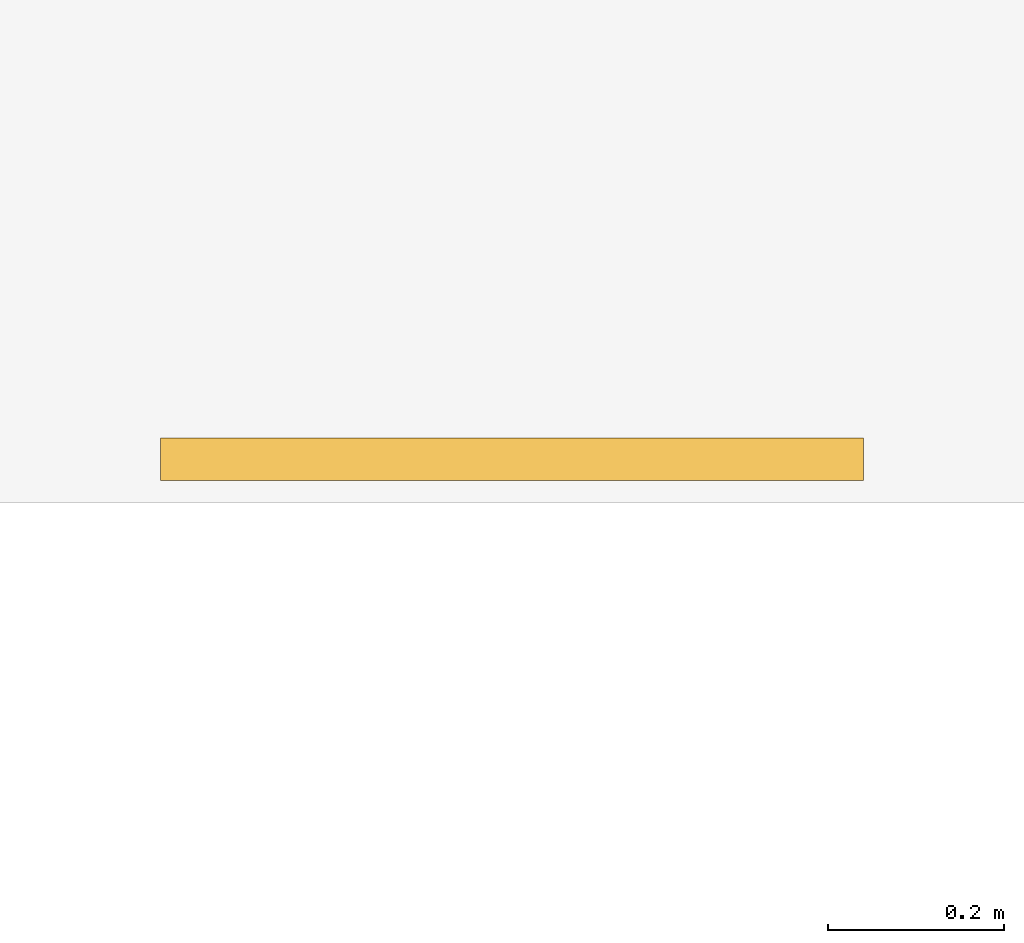
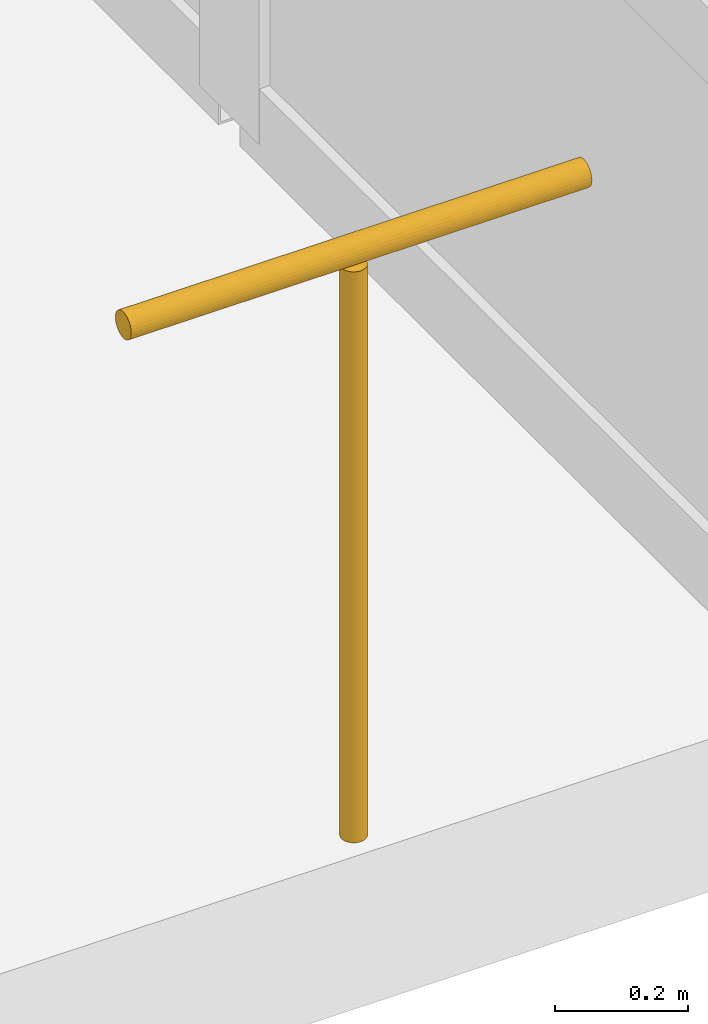
# One storey, part 108 of 128: 1 railing.
"""IFC4 building model written with IfcOpenShell, lengths in metres."""

import ifcopenshell
import ifcopenshell.guid

model = None  # the IFC model being written
_history = None  # IfcOwnerHistory: only IFC2X3 demands one
_inside = {}  # id of a spatial element -> (the spatial element, [elements in it])
_under = {}  # id of a project, library or spatial element -> (it, [spatial elements below it])
_declared = {}  # id of a project -> (the project, [libraries it declares])
_typed = {}  # id of a type object -> (the type object, [elements of that type])
_made_of = {}  # id of a material, layer set ... -> (it, [elements and type objects made of it])


def new_model(schema):
    """Start an empty IFC model of exactly this schema.

    Asked for "IFC4X3", IfcOpenShell would pick the latest addendum, in which some entities
    have other attributes; the version numbers below select the first issue.
    IFC2X3 requires an IfcOwnerHistory on every rooted entity: one is made here for all.
    """
    global model, _history
    if schema == "IFC4X3":
        model = ifcopenshell.file(schema_version=(4, 3, 0, 0))
    else:
        model = ifcopenshell.file(schema=schema)
    _inside.clear()
    _under.clear()
    _declared.clear()
    _typed.clear()
    _made_of.clear()
    _history = None
    if model.schema == "IFC2X3":
        org = make("IfcOrganization", Name="unknown")
        user = make(
            "IfcPersonAndOrganization",
            ThePerson=make("IfcPerson", FamilyName="unknown"),
            TheOrganization=org,
        )
        app = make(
            "IfcApplication",
            ApplicationDeveloper=org,
            Version="unknown",
            ApplicationFullName="unknown",
            ApplicationIdentifier="unknown",
        )
        _history = make(
            "IfcOwnerHistory",
            OwningUser=user,
            OwningApplication=app,
            ChangeAction="ADDED",
            CreationDate=0,
        )
    return model


def make(cls, **values):
    """One entity of the class cls with the attributes given. An attribute that is None is left unset."""
    return model.create_entity(
        cls, **{name: value for name, value in values.items() if value is not None}
    )


def rooted(cls, **values):
    """An entity with a GlobalId (a new one), such as an element, a storey or a relation."""
    return make(cls, GlobalId=ifcopenshell.guid.new(), OwnerHistory=_history, **values)


def si_unit(unit_type, name, prefix=None):
    """IfcSIUnit, for example si_unit("LENGTHUNIT", "METRE", prefix="MILLI")."""
    return make("IfcSIUnit", UnitType=unit_type, Prefix=prefix, Name=name)


def assignment(units):
    """IfcUnitAssignment: the units of a project."""
    return None if units is None else make("IfcUnitAssignment", Units=units)


def point(xyz):
    """IfcCartesianPoint."""
    return None if xyz is None else make("IfcCartesianPoint", Coordinates=xyz)


def direction(xyz):
    """IfcDirection."""
    return None if xyz is None else make("IfcDirection", DirectionRatios=xyz)


def frame(location, z_axis=None, x_axis=None):
    """IfcAxis2Placement3D, a coordinate frame: its origin and axes. An axis left out is left unset."""
    return make(
        "IfcAxis2Placement3D",
        Location=point(location),
        Axis=direction(z_axis),
        RefDirection=direction(x_axis),
    )


def frame_2d(location, x_axis=None):
    """IfcAxis2Placement2D, a coordinate frame in the plane: its origin and x axis."""
    return make(
        "IfcAxis2Placement2D", Location=point(location), RefDirection=direction(x_axis)
    )


def origin():
    """The frame at (0, 0, 0) with its axes left unset."""
    return frame((0.0, 0.0, 0.0))


def origin_2d():
    """The frame at (0, 0) in the plane with its x axis left unset."""
    return frame_2d((0.0, 0.0))


def place(relative_to, where):
    """IfcLocalPlacement: puts the frame where relative to a parent placement (None: the world)."""
    return make(
        "IfcLocalPlacement", PlacementRelTo=relative_to, RelativePlacement=where
    )


def context(
    kind, dimensions, precision=None, world=None, true_north=None, identifier=None
):
    """IfcGeometricRepresentationContext, for example the 3D "Model" context."""
    return make(
        "IfcGeometricRepresentationContext",
        ContextIdentifier=identifier,
        ContextType=kind,
        CoordinateSpaceDimension=dimensions,
        Precision=precision,
        WorldCoordinateSystem=world,
        TrueNorth=true_north,
    )


def subcontext(parent, identifier, kind, view, scale=None):
    """IfcGeometricRepresentationSubContext, for example "Body" below "Model"."""
    return make(
        "IfcGeometricRepresentationSubContext",
        ContextIdentifier=identifier,
        ContextType=kind,
        ParentContext=parent,
        TargetScale=scale,
        TargetView=view,
    )


def project(units=None, contexts=None):
    """IfcProject with its units and contexts."""
    return rooted(
        "IfcProject",
        Name="project",
        RepresentationContexts=contexts,
        UnitsInContext=assignment(units),
    )


def spatial(cls, under=None, at=None, **own):
    """A site, building, storey or space (cls), placed at a placement, below another one or the project."""
    s = rooted(cls, ObjectPlacement=at, **own)
    if under is not None:
        _under.setdefault(under.id(), (under, []))[1].append(s)
    return s


def profile(cls, at=None, kind="AREA", **sizes):
    """A parametric profile (cls). Its sizes go by their IFC names, for example OverallWidth=200.0."""
    return make(cls, ProfileType=kind, Position=at, **sizes)


def circle(**sizes):
    """IfcCircleProfileDef."""
    return profile("IfcCircleProfileDef", **sizes)


def extrude(swept, where, along, depth):
    """IfcExtrudedAreaSolid: the profile swept, set in the frame where, extruded along a direction by depth."""
    return make(
        "IfcExtrudedAreaSolid",
        SweptArea=swept,
        Position=where,
        ExtrudedDirection=direction(along),
        Depth=depth,
    )


def shape(context_of_items, identifier, shape_type, items):
    """IfcShapeRepresentation: the items that make up one representation, for example the "Body"."""
    return make(
        "IfcShapeRepresentation",
        ContextOfItems=context_of_items,
        RepresentationIdentifier=identifier,
        RepresentationType=shape_type,
        Items=items,
    )


def material(Name=None, Category=None):
    """IfcMaterial."""
    return make("IfcMaterial", Name=Name, Category=Category)


def made_of(thing, what):
    """Note that an element or type object is made of a material, layer set ...; save() writes the relation."""
    if what is not None:
        _made_of.setdefault(what.id(), (what, []))[1].append(thing)
    return thing


def type_object(cls, material=None, **own):
    """A type object (cls), such as IfcWallType, which elements share."""
    return made_of(rooted(cls, **own), material)


def element(
    cls,
    number,
    at=None,
    inside=None,
    cuts=None,
    type_object=None,
    material=None,
    context=None,
    identifier="Body",
    shape_type=None,
    held_by="IfcProductDefinitionShape",
    body=None,
    shapes=None,
    **own,
):
    """One element of the class cls, such as IfcWall. Its Tag is "e" and its number.

    at: its placement. inside: the storey or other place that contains it. cuts: it is an
    opening in that element (IfcRelVoidsElement). A single representation is given by context,
    identifier, shape_type and body (its items); several are given by shapes. held_by: the class
    of the entity that holds the representations. save() writes the other relations.
    """
    e = rooted(cls, Tag="e%d" % number, ObjectPlacement=at, **own)
    if body is not None:
        shapes = [shape(context, identifier, shape_type, body)]
    if shapes is not None:
        e.Representation = make(held_by, Representations=shapes)
    if inside is not None:
        _inside.setdefault(inside.id(), (inside, []))[1].append(e)
    if cuts is not None:
        rooted(
            "IfcRelVoidsElement", RelatingBuildingElement=cuts, RelatedOpeningElement=e
        )
    if type_object is not None:
        _typed.setdefault(type_object.id(), (type_object, []))[1].append(e)
    return made_of(e, material)


def aggregate(whole, parts):
    """IfcRelAggregates: a whole, such as a stair, and the parts it consists of."""
    return rooted("IfcRelAggregates", RelatingObject=whole, RelatedObjects=parts)


def save(model, path):
    """Write the relations noted so far, then the file.

    IfcRelAggregates (storeys below a building ...), IfcRelContainedInSpatialStructure (elements
    in a storey), IfcRelDefinesByType, IfcRelAssociatesMaterial and IfcRelDeclares: one each for
    every whole, place, type object, material and project.
    """
    for whole, parts in _under.values():
        aggregate(whole, parts)
    for where, things in _inside.values():
        rooted(
            "IfcRelContainedInSpatialStructure",
            RelatedElements=things,
            RelatingStructure=where,
        )
    for kind, things in _typed.values():
        rooted("IfcRelDefinesByType", RelatedObjects=things, RelatingType=kind)
    for what, things in _made_of.values():
        rooted("IfcRelAssociatesMaterial", RelatedObjects=things, RelatingMaterial=what)
    for by, libraries in _declared.values():
        rooted("IfcRelDeclares", RelatingContext=by, RelatedDefinitions=libraries)
    model.write(path)


model = new_model("IFC4")

# Units and contexts
model_context = context("Model", 3, precision=1e-05, world=origin(), true_north=direction((0.0, 1.0)))
body_context = subcontext(model_context, "Body", "Model", "MODEL_VIEW")
ifc_project = project(units=[si_unit("LENGTHUNIT", "METRE"), si_unit("AREAUNIT", "SQUARE_METRE"), si_unit("VOLUMEUNIT", "CUBIC_METRE"), si_unit("PLANEANGLEUNIT", "RADIAN"), si_unit("MASSUNIT", "GRAM", prefix="KILO")], contexts=[model_context])

# Site, building, storey
site_placement = place(None, origin())
site = spatial("IfcSite", under=ifc_project, at=site_placement, CompositionType="ELEMENT")
building_placement = place(site_placement, origin())
building = spatial("IfcBuilding", under=site, at=building_placement, Name="Keldmere Railside Commons", CompositionType="ELEMENT")
storey_placement = place(building_placement, frame((0.0, 0.0, 4.159912109375)))
storey = spatial("IfcBuildingStorey", under=building, at=storey_placement, Name="L01", CompositionType="ELEMENT", Elevation=4.159912109375)

# Railing
ifc_material = material(Name="Steel F-24 (S235)", Category="steel")
railing_type = type_object("IfcRailingType", Name="Stair Well Steel Guardrail 1100", PredefinedType="BALUSTRADE", material=ifc_material)
railing_placement = place(storey_placement, frame((104.800048828125, 41.050048828125, 0.0)))
element("IfcRailing", 1, at=railing_placement, inside=storey, type_object=railing_type, Name="GR-2 GRD-L01-4761", PredefinedType="BALUSTRADE", context=body_context, shape_type="SweptSolid", body=[
    extrude(circle(Radius=0.02392578125, at=origin_2d()), frame((0.0, 0.0, 1.076171875), z_axis=(1.0, 0.0, 0.0), x_axis=(0.0, 1.0, 0.0)), (0.0, 0.0, 1.0), 0.800048828125),
    extrude(circle(Radius=0.02099609375, at=origin_2d()), frame((0.39990234375, 0.0, 0.0)), (0.0, 0.0, 1.0), 1.048095703125),
])

save(model, "model.ifc")
